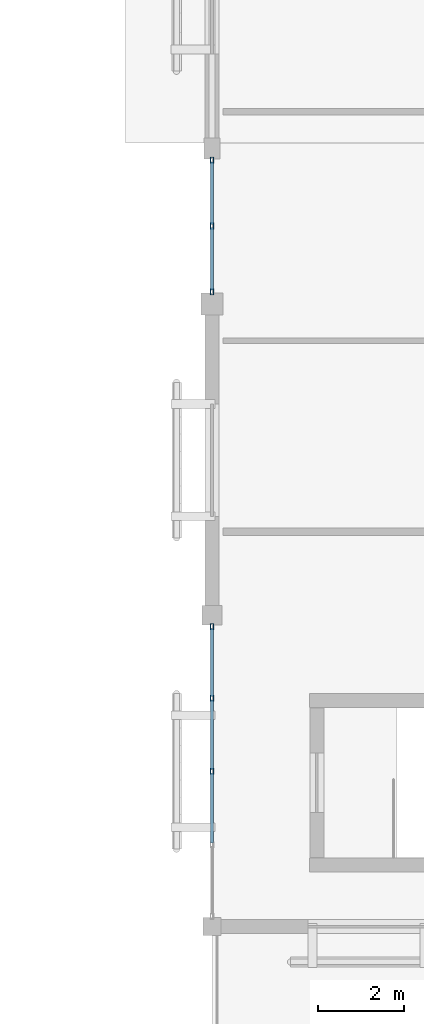
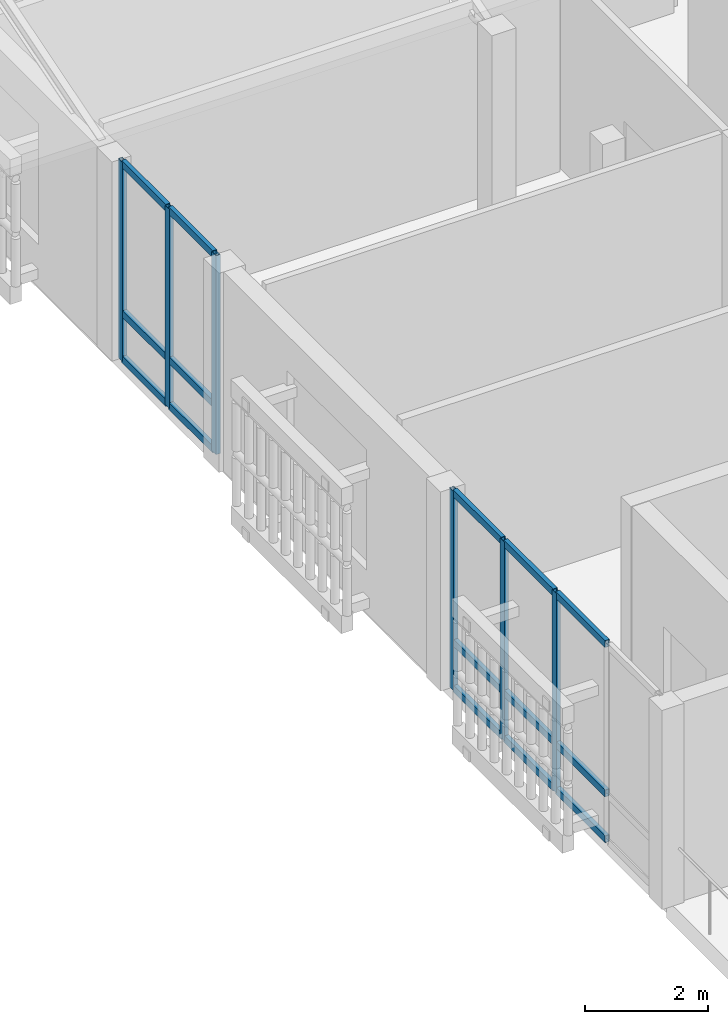
# One storey, part 32 of 61: 21 members, 2 elements without a shape of their own.
"""IFC4 building model written with IfcOpenShell, lengths in metres."""

from ifc_helpers import new_model, si_unit, direction, frame, origin, origin_2d, place, context, subcontext, project, spatial, hollow_rectangle, extrude, material, layer, layer_set, material_profile, profile_set, type_object, element, aggregate, save


model = new_model("IFC4")

# Units and contexts
model_context = context("Model", 3, precision=1e-05, world=origin(), true_north=direction((0.0, 1.0)))
body_context = subcontext(model_context, "Body", "Model", "MODEL_VIEW")
ifc_project = project(units=[si_unit("LENGTHUNIT", "METRE"), si_unit("AREAUNIT", "SQUARE_METRE"), si_unit("VOLUMEUNIT", "CUBIC_METRE"), si_unit("PLANEANGLEUNIT", "RADIAN"), si_unit("MASSUNIT", "GRAM", prefix="KILO")], contexts=[model_context])

# Site, building, storey
site_placement = place(None, origin())
site = spatial("IfcSite", under=ifc_project, at=site_placement, CompositionType="ELEMENT")
building_placement = place(site_placement, origin())
building = spatial("IfcBuilding", under=site, at=building_placement, Name="Mazaris Harbour Polytechnic", CompositionType="ELEMENT")
storey_placement = place(building_placement, frame((0.0, 0.0, 18.0)))
storey = spatial("IfcBuildingStorey", under=building, at=storey_placement, Name="L04", CompositionType="ELEMENT", Elevation=18.0)

# Curtain wall, members
ifc_material_1 = material(Name="Anodised Bronze Aluminium and Low-E Glass", Category="aluminium")
ifc_layer = layer(ifc_material_1, 0.169921875, Name="Anodised Bronze Aluminium and Low-E Glass")
ifc_layer_set = layer_set([ifc_layer], Name="Anodised Bronze Aluminium and Low-E Glass")
curtain_wall_type = type_object("IfcCurtainWallType", Name="Studio North-Light Curtain Wall", PredefinedType="NOTDEFINED", material=ifc_layer_set)
curtain_wall_1_placement = place(storey_placement, origin())
curtain_wall_1 = element("IfcCurtainWall", 1, at=curtain_wall_1_placement, inside=storey, type_object=curtain_wall_type, Name="V5 L04 Curtain Wall 275", PredefinedType="NOTDEFINED")
ifc_material_2 = material(Name="Anodised Bronze Steel S355", Category="steel")
ifc_material_profile_1 = material_profile(ifc_material_2, hollow_rectangle(XDim=0.080078125, YDim=0.139892578125, WallThickness=0.00634765625, at=origin_2d()), Name="RHS 80x140x6.3")
ifc_profile_set_1 = profile_set([ifc_material_profile_1], Name="Anodised Bronze Steel S355")
member_type_1 = type_object("IfcMemberType", Name="Curtain Mullion RHS80x140", PredefinedType="MULLION", material=ifc_profile_set_1)
member_1_placement = place(storey_placement, frame((122.39990234375, 71.989990234375, 0.0), z_axis=(0.0, 0.0, 1.0), x_axis=(-1.0, 0.0, 0.0)))
member_1 = element("IfcMember", 2, at=member_1_placement, type_object=member_type_1, Name="CW-03 mullion 3", PredefinedType="MULLION", context=body_context, shape_type="SweptSolid", body=[
    extrude(hollow_rectangle(XDim=0.080078125, YDim=0.139892578125, WallThickness=0.00634765625, at=origin_2d()), origin(), (0.0, 0.0, 1.0), 3.9599609375),
])
member_2_placement = place(storey_placement, frame((122.39990234375, 73.68408203125, 0.0), z_axis=(0.0, 0.0, 1.0), x_axis=(-1.0, 0.0, 0.0)))
member_2 = element("IfcMember", 3, at=member_2_placement, type_object=member_type_1, Name="CW-03 mullion 4", PredefinedType="MULLION", context=body_context, shape_type="SweptSolid", body=[
    extrude(hollow_rectangle(XDim=0.080078125, YDim=0.139892578125, WallThickness=0.00634765625, at=origin_2d()), origin(), (0.0, 0.0, 1.0), 3.9599609375),
])
member_3_placement = place(storey_placement, frame((122.39990234375, 75.337890625, 0.0), z_axis=(0.0, 0.0, 1.0), x_axis=(-1.0, 0.0, 0.0)))
member_3 = element("IfcMember", 4, at=member_3_placement, type_object=member_type_1, Name="CW-03 mullion 5", PredefinedType="MULLION", context=body_context, shape_type="SweptSolid", body=[
    extrude(hollow_rectangle(XDim=0.080078125, YDim=0.139892578125, WallThickness=0.00634765625, at=origin_2d()), origin(), (0.0, 0.0, 1.0), 3.9599609375),
])

curtain_wall_2_placement = place(storey_placement, origin())
curtain_wall_2 = element("IfcCurtainWall", 5, at=curtain_wall_2_placement, inside=storey, type_object=curtain_wall_type, Name="V5 L04 Curtain Wall 276", PredefinedType="NOTDEFINED")
member_4_placement = place(storey_placement, frame((122.39990234375, 83.08203125, 0.0), z_axis=(0.0, 0.0, 1.0), x_axis=(-1.0, 0.0, 0.0)))
member_4 = element("IfcMember", 6, at=member_4_placement, type_object=member_type_1, Name="CW-03 mullion 1", PredefinedType="MULLION", context=body_context, shape_type="SweptSolid", body=[
    extrude(hollow_rectangle(XDim=0.080078125, YDim=0.139892578125, WallThickness=0.00634765625, at=origin_2d()), origin(), (0.0, 0.0, 1.0), 3.9599609375),
])
member_5_placement = place(storey_placement, frame((122.39990234375, 84.60498046875, 0.0), z_axis=(0.0, 0.0, 1.0), x_axis=(-1.0, 0.0, 0.0)))
member_5 = element("IfcMember", 7, at=member_5_placement, type_object=member_type_1, Name="CW-03 mullion 2", PredefinedType="MULLION", context=body_context, shape_type="SweptSolid", body=[
    extrude(hollow_rectangle(XDim=0.080078125, YDim=0.139892578125, WallThickness=0.00634765625, at=origin_2d()), origin(), (0.0, 0.0, 1.0), 3.9599609375),
])
member_6_placement = place(storey_placement, frame((122.39990234375, 86.1279296875, 0.0), z_axis=(0.0, 0.0, 1.0), x_axis=(-1.0, 0.0, 0.0)))
member_6 = element("IfcMember", 8, at=member_6_placement, type_object=member_type_1, Name="CW-03 mullion 3", PredefinedType="MULLION", context=body_context, shape_type="SweptSolid", body=[
    extrude(hollow_rectangle(XDim=0.080078125, YDim=0.139892578125, WallThickness=0.00634765625, at=origin_2d()), origin(), (0.0, 0.0, 1.0), 3.9599609375),
])

# Member
ifc_material_3 = material(Name="Anodised Bronze Steel S355", Category="steel")
ifc_material_profile_2 = material_profile(ifc_material_3, hollow_rectangle(XDim=0.080078125, YDim=0.139892578125, WallThickness=0.00634765625, at=origin_2d()), Name="RHS 80x140x6.3")
ifc_profile_set_2 = profile_set([ifc_material_profile_2], Name="Anodised Bronze Steel S355")
member_type_2 = type_object("IfcMemberType", Name="Curtain Transom RHS80x140", PredefinedType="USERDEFINED", material=ifc_profile_set_2)
member_7_placement = place(storey_placement, frame((122.39990234375, 70.3359375, 0.0400390625), z_axis=(0.0, 1.0, 0.0), x_axis=(-1.0, 0.0, 0.0)))
member_7 = element("IfcMember", 9, at=member_7_placement, type_object=member_type_2, Name="CW-03 transom 2.1", ObjectType="TRANSOM", PredefinedType="USERDEFINED", context=body_context, shape_type="SweptSolid", body=[
    extrude(hollow_rectangle(XDim=0.080078125, YDim=0.139892578125, WallThickness=0.00634765625, at=origin_2d()), origin(), (0.0, 0.0, 1.0), 1.614013671875),
])

member_8_placement = place(storey_placement, frame((122.39990234375, 70.3359375, 0.949951171875), z_axis=(0.0, 1.0, 0.0), x_axis=(-1.0, 0.0, 0.0)))
member_8 = element("IfcMember", 10, at=member_8_placement, type_object=member_type_2, Name="CW-03 transom 2.2", ObjectType="TRANSOM", PredefinedType="USERDEFINED", context=body_context, shape_type="SweptSolid", body=[
    extrude(hollow_rectangle(XDim=0.080078125, YDim=0.139892578125, WallThickness=0.00634765625, at=origin_2d()), origin(), (0.0, 0.0, 1.0), 1.614013671875),
])

member_9_placement = place(storey_placement, frame((122.39990234375, 70.3359375, 3.919921875), z_axis=(0.0, 1.0, 0.0), x_axis=(-1.0, 0.0, 0.0)))
member_9 = element("IfcMember", 11, at=member_9_placement, type_object=member_type_2, Name="CW-03 transom 2.3", ObjectType="TRANSOM", PredefinedType="USERDEFINED", context=body_context, shape_type="SweptSolid", body=[
    extrude(hollow_rectangle(XDim=0.080078125, YDim=0.139892578125, WallThickness=0.00634765625, at=origin_2d()), origin(), (0.0, 0.0, 1.0), 1.614013671875),
])

member_10_placement = place(storey_placement, frame((122.39990234375, 72.030029296875, 0.0400390625), z_axis=(0.0, 1.0, 0.0), x_axis=(-1.0, 0.0, 0.0)))
member_10 = element("IfcMember", 12, at=member_10_placement, type_object=member_type_2, Name="CW-03 transom 3.1", ObjectType="TRANSOM", PredefinedType="USERDEFINED", context=body_context, shape_type="SweptSolid", body=[
    extrude(hollow_rectangle(XDim=0.080078125, YDim=0.139892578125, WallThickness=0.00634765625, at=origin_2d()), origin(), (0.0, 0.0, 1.0), 1.614013671875),
])

member_11_placement = place(storey_placement, frame((122.39990234375, 72.030029296875, 0.949951171875), z_axis=(0.0, 1.0, 0.0), x_axis=(-1.0, 0.0, 0.0)))
member_11 = element("IfcMember", 13, at=member_11_placement, type_object=member_type_2, Name="CW-03 transom 3.2", ObjectType="TRANSOM", PredefinedType="USERDEFINED", context=body_context, shape_type="SweptSolid", body=[
    extrude(hollow_rectangle(XDim=0.080078125, YDim=0.139892578125, WallThickness=0.00634765625, at=origin_2d()), origin(), (0.0, 0.0, 1.0), 1.614013671875),
])

member_12_placement = place(storey_placement, frame((122.39990234375, 72.030029296875, 3.919921875), z_axis=(0.0, 1.0, 0.0), x_axis=(-1.0, 0.0, 0.0)))
member_12 = element("IfcMember", 14, at=member_12_placement, type_object=member_type_2, Name="CW-03 transom 3.3", ObjectType="TRANSOM", PredefinedType="USERDEFINED", context=body_context, shape_type="SweptSolid", body=[
    extrude(hollow_rectangle(XDim=0.080078125, YDim=0.139892578125, WallThickness=0.00634765625, at=origin_2d()), origin(), (0.0, 0.0, 1.0), 1.614013671875),
])

member_13_placement = place(storey_placement, frame((122.39990234375, 73.72412109375, 0.0400390625), z_axis=(0.0, 1.0, 0.0), x_axis=(-1.0, 0.0, 0.0)))
member_13 = element("IfcMember", 15, at=member_13_placement, type_object=member_type_2, Name="CW-03 transom 4.1", ObjectType="TRANSOM", PredefinedType="USERDEFINED", context=body_context, shape_type="SweptSolid", body=[
    extrude(hollow_rectangle(XDim=0.080078125, YDim=0.139892578125, WallThickness=0.00634765625, at=origin_2d()), origin(), (0.0, 0.0, 1.0), 1.573974609375),
])

member_14_placement = place(storey_placement, frame((122.39990234375, 73.72412109375, 0.949951171875), z_axis=(0.0, 1.0, 0.0), x_axis=(-1.0, 0.0, 0.0)))
member_14 = element("IfcMember", 16, at=member_14_placement, type_object=member_type_2, Name="CW-03 transom 4.2", ObjectType="TRANSOM", PredefinedType="USERDEFINED", context=body_context, shape_type="SweptSolid", body=[
    extrude(hollow_rectangle(XDim=0.080078125, YDim=0.139892578125, WallThickness=0.00634765625, at=origin_2d()), origin(), (0.0, 0.0, 1.0), 1.573974609375),
])

member_15_placement = place(storey_placement, frame((122.39990234375, 73.72412109375, 3.919921875), z_axis=(0.0, 1.0, 0.0), x_axis=(-1.0, 0.0, 0.0)))
member_15 = element("IfcMember", 17, at=member_15_placement, type_object=member_type_2, Name="CW-03 transom 4.3", ObjectType="TRANSOM", PredefinedType="USERDEFINED", context=body_context, shape_type="SweptSolid", body=[
    extrude(hollow_rectangle(XDim=0.080078125, YDim=0.139892578125, WallThickness=0.00634765625, at=origin_2d()), origin(), (0.0, 0.0, 1.0), 1.573974609375),
])

aggregate(curtain_wall_1, [member_1, member_2, member_3, member_7, member_8, member_9, member_10, member_11, member_12, member_13, member_14, member_15])

member_16_placement = place(storey_placement, frame((122.39990234375, 83.1220703125, 0.0400390625), z_axis=(0.0, 1.0, 0.0), x_axis=(-1.0, 0.0, 0.0)))
member_16 = element("IfcMember", 18, at=member_16_placement, type_object=member_type_2, Name="CW-03 transom 1.1", ObjectType="TRANSOM", PredefinedType="USERDEFINED", context=body_context, shape_type="SweptSolid", body=[
    extrude(hollow_rectangle(XDim=0.080078125, YDim=0.139892578125, WallThickness=0.00634765625, at=origin_2d()), origin(), (0.0, 0.0, 1.0), 1.44287109375),
])

member_17_placement = place(storey_placement, frame((122.39990234375, 83.1220703125, 0.949951171875), z_axis=(0.0, 1.0, 0.0), x_axis=(-1.0, 0.0, 0.0)))
member_17 = element("IfcMember", 19, at=member_17_placement, type_object=member_type_2, Name="CW-03 transom 1.2", ObjectType="TRANSOM", PredefinedType="USERDEFINED", context=body_context, shape_type="SweptSolid", body=[
    extrude(hollow_rectangle(XDim=0.080078125, YDim=0.139892578125, WallThickness=0.00634765625, at=origin_2d()), origin(), (0.0, 0.0, 1.0), 1.44287109375),
])

member_18_placement = place(storey_placement, frame((122.39990234375, 83.1220703125, 3.919921875), z_axis=(0.0, 1.0, 0.0), x_axis=(-1.0, 0.0, 0.0)))
member_18 = element("IfcMember", 20, at=member_18_placement, type_object=member_type_2, Name="CW-03 transom 1.3", ObjectType="TRANSOM", PredefinedType="USERDEFINED", context=body_context, shape_type="SweptSolid", body=[
    extrude(hollow_rectangle(XDim=0.080078125, YDim=0.139892578125, WallThickness=0.00634765625, at=origin_2d()), origin(), (0.0, 0.0, 1.0), 1.44287109375),
])

member_19_placement = place(storey_placement, frame((122.39990234375, 84.64501953125, 0.0400390625), z_axis=(0.0, 1.0, 0.0), x_axis=(-1.0, 0.0, 0.0)))
member_19 = element("IfcMember", 21, at=member_19_placement, type_object=member_type_2, Name="CW-03 transom 2.1", ObjectType="TRANSOM", PredefinedType="USERDEFINED", context=body_context, shape_type="SweptSolid", body=[
    extrude(hollow_rectangle(XDim=0.080078125, YDim=0.139892578125, WallThickness=0.00634765625, at=origin_2d()), origin(), (0.0, 0.0, 1.0), 1.44287109375),
])

member_20_placement = place(storey_placement, frame((122.39990234375, 84.64501953125, 0.949951171875), z_axis=(0.0, 1.0, 0.0), x_axis=(-1.0, 0.0, 0.0)))
member_20 = element("IfcMember", 22, at=member_20_placement, type_object=member_type_2, Name="CW-03 transom 2.2", ObjectType="TRANSOM", PredefinedType="USERDEFINED", context=body_context, shape_type="SweptSolid", body=[
    extrude(hollow_rectangle(XDim=0.080078125, YDim=0.139892578125, WallThickness=0.00634765625, at=origin_2d()), origin(), (0.0, 0.0, 1.0), 1.44287109375),
])

member_21_placement = place(storey_placement, frame((122.39990234375, 84.64501953125, 3.919921875), z_axis=(0.0, 1.0, 0.0), x_axis=(-1.0, 0.0, 0.0)))
member_21 = element("IfcMember", 23, at=member_21_placement, type_object=member_type_2, Name="CW-03 transom 2.3", ObjectType="TRANSOM", PredefinedType="USERDEFINED", context=body_context, shape_type="SweptSolid", body=[
    extrude(hollow_rectangle(XDim=0.080078125, YDim=0.139892578125, WallThickness=0.00634765625, at=origin_2d()), origin(), (0.0, 0.0, 1.0), 1.44287109375),
])

aggregate(curtain_wall_2, [member_4, member_5, member_6, member_16, member_17, member_18, member_19, member_20, member_21])

save(model, "model.ifc")
